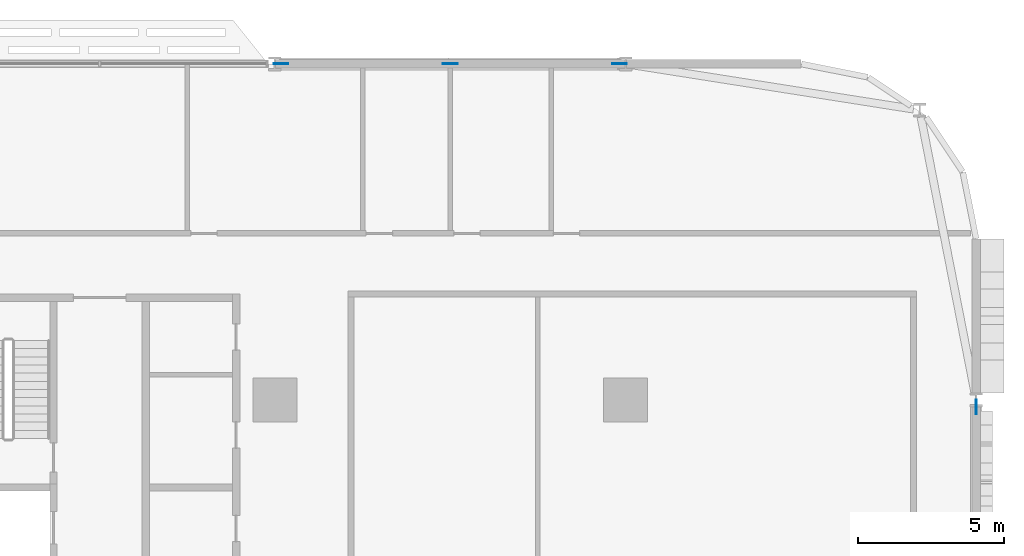
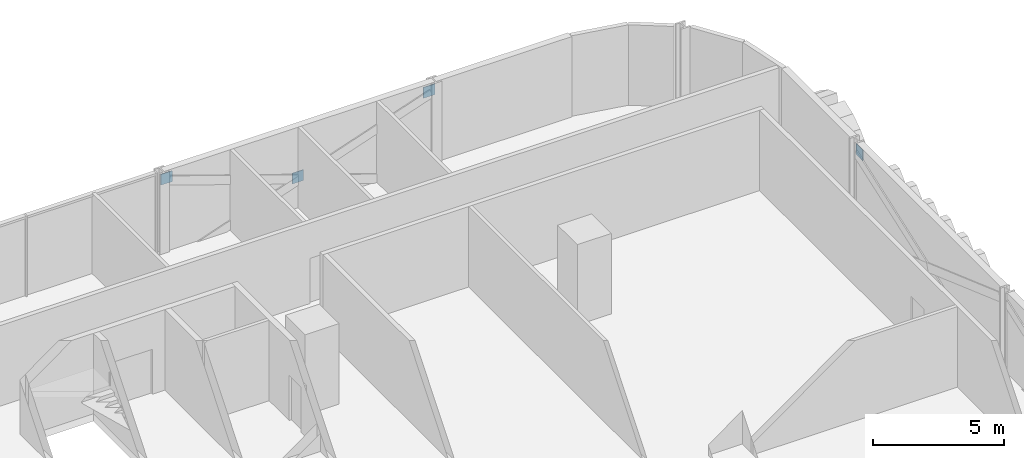
# One storey, part 23 of 29: 4 discrete accessories.
"""IFC4 building model written with IfcOpenShell, lengths in metres."""

from ifc_helpers import new_model, si_unit, direction, frame, origin, origin_2d, place, context, subcontext, project, spatial, rectangle, extrude, material, layer, layer_set, type_object, element, save


model = new_model("IFC4")

# Units and contexts
model_context = context("Model", 3, precision=1e-05, world=origin(), true_north=direction((0.0, 1.0)))
body_context = subcontext(model_context, "Body", "Model", "MODEL_VIEW")
ifc_project = project(units=[si_unit("LENGTHUNIT", "METRE"), si_unit("AREAUNIT", "SQUARE_METRE"), si_unit("VOLUMEUNIT", "CUBIC_METRE"), si_unit("PLANEANGLEUNIT", "RADIAN"), si_unit("MASSUNIT", "GRAM", prefix="KILO")], contexts=[model_context])

# Site, building, storey
site_placement = place(None, origin())
site = spatial("IfcSite", under=ifc_project, at=site_placement, CompositionType="ELEMENT")
building_placement = place(site_placement, origin())
building = spatial("IfcBuilding", under=site, at=building_placement, Name="Mahtab Terrace Research Tower", CompositionType="ELEMENT")
storey_placement = place(building_placement, frame((0.0, 0.0, 76.10009765625)))
storey = spatial("IfcBuildingStorey", under=building, at=storey_placement, Name="L17", CompositionType="ELEMENT", Elevation=76.10009765625)

# Discrete accessories
ifc_material = material(Name="Steel ASTM A992 Gr 50", Category="steel")
ifc_layer = layer(ifc_material, 0.030029296875)
ifc_layer_set = layer_set([ifc_layer], Name="Gusset plate 500x500x30")
discrete_accessory_type = type_object("IfcDiscreteAccessoryType", Name="Gusset plate 500x500x30", PredefinedType="USERDEFINED", material=ifc_layer_set)
for number, where, z_axis, x_axis, name in (
    (1, (30.212158203125, 23.0, 3.04931640625), (0.0, 0.0, 1.0), (1.0, 0.0, 0.0), "Gusset plate"),
    (2, (36.0, 23.0, 1.076416015625), (0.0, 0.0, 1.0), (1.0, 0.0, 0.0), "Gusset plate"),
    (3, (41.787841796875, 23.0, 3.04931640625), (0.0, 0.0, 1.0), (1.0, 0.0, 0.0), "Gusset plate"),
    (4, (54.0, 11.262451171875, 3.037109375), (0.0, 0.0, 1.0), (0.0, 1.0, 0.0), "Gusset plate"),
):
    element("IfcDiscreteAccessory", number, at=place(storey_placement, frame(where, z_axis=z_axis, x_axis=x_axis)), inside=storey, type_object=discrete_accessory_type, Name=name, ObjectType="GUSSET PLATE", PredefinedType="USERDEFINED", context=body_context, shape_type="SweptSolid", body=[
        extrude(rectangle(XDim=0.5, YDim=0.030029296875, at=origin_2d()), origin(), (0.0, 0.0, 1.0), 0.5),
    ])

save(model, "model.ifc")
